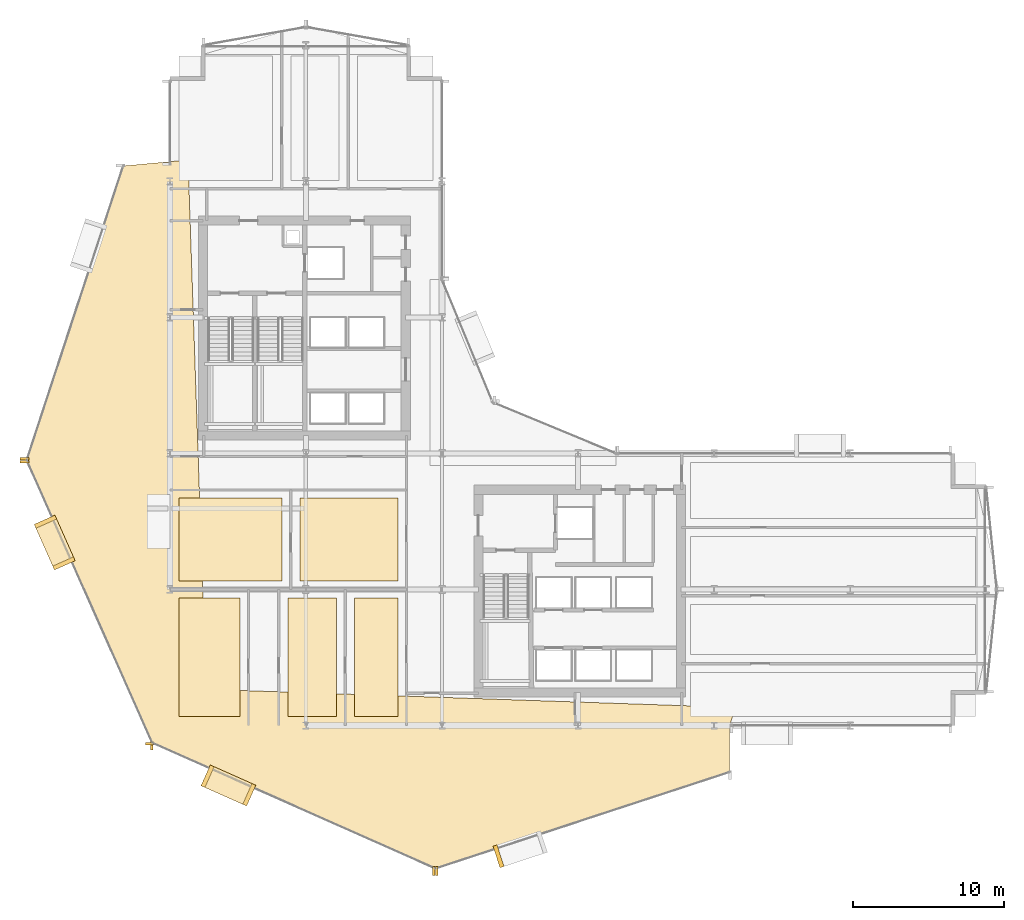
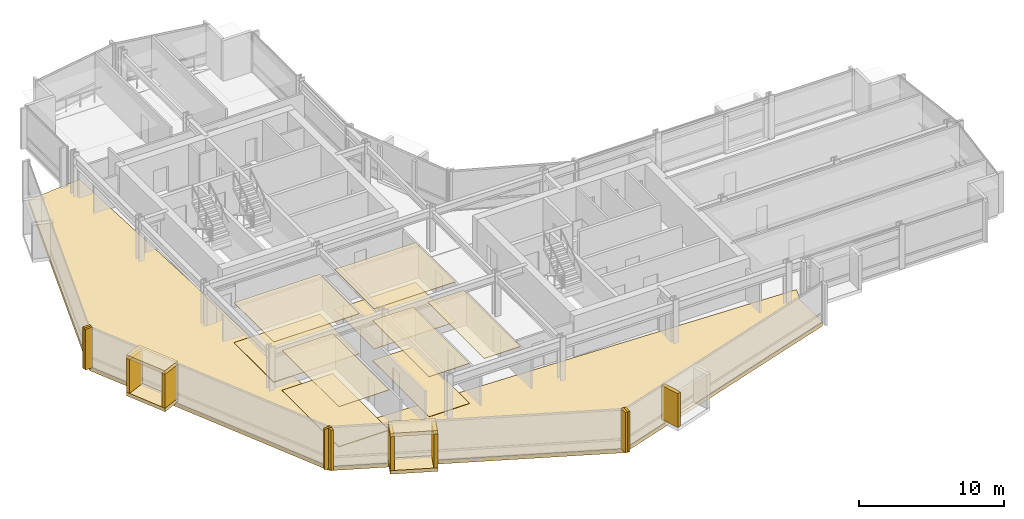
# One storey, part 30 of 34: 25 coverings.
"""IFC4 building model written with IfcOpenShell, lengths in metres."""

from ifc_helpers import new_model, si_unit, direction, frame, origin, origin_2d, place, context, subcontext, project, spatial, polyline, rectangle, outline, extrude, material, layer, layer_set, type_object, element, save


model = new_model("IFC4")

# Units and contexts
model_context = context("Model", 3, precision=1e-05, world=origin(), true_north=direction((0.0, 1.0)))
body_context = subcontext(model_context, "Body", "Model", "MODEL_VIEW")
ifc_project = project(units=[si_unit("LENGTHUNIT", "METRE"), si_unit("AREAUNIT", "SQUARE_METRE"), si_unit("VOLUMEUNIT", "CUBIC_METRE"), si_unit("PLANEANGLEUNIT", "RADIAN"), si_unit("MASSUNIT", "GRAM", prefix="KILO")], contexts=[model_context])

# Site, building, storey
site_placement = place(None, origin())
site = spatial("IfcSite", under=ifc_project, at=site_placement, CompositionType="ELEMENT")
building_placement = place(site_placement, origin())
building = spatial("IfcBuilding", under=site, at=building_placement, Name="Solvaryn Broadcast Tower", CompositionType="ELEMENT")
storey_placement = place(building_placement, frame((0.0, 0.0, 50.800048828125)))
storey = spatial("IfcBuildingStorey", under=building, at=storey_placement, Name="L11", CompositionType="ELEMENT", Elevation=50.800048828125)

# Coverings
ifc_material_1 = material(Name="Micro-Perforated Acoustic Gypsum Ceiling", Category="concrete")
ifc_layer_1 = layer(ifc_material_1, 0.0400390625)
ifc_layer_set_1 = layer_set([ifc_layer_1], Name="CV-CEIL-ACOUSTIC")
covering_type_1 = type_object("IfcCoveringType", Name="CV-CEIL-ACOUSTIC", PredefinedType="CEILING", material=ifc_layer_set_1)
covering_1_placement = place(storey_placement, frame((0.0, 0.0, 3.3798828125)))
element("IfcCovering", 1, at=covering_1_placement, inside=storey, type_object=covering_type_1, Name="L11 Room Acoustic Ceiling 1", PredefinedType="CEILING", context=body_context, shape_type="SweptSolid", body=[
    extrude(outline(polyline([(9.60009765625, 18.570068359375), (16.429931640625, 18.570068359375), (16.429931640625, 24.050048828125), (9.60009765625, 24.050048828125), (9.60009765625, 18.570068359375)])), origin(), (0.0, 0.0, 1.0), 0.0400390625),
])
covering_2_placement = place(storey_placement, frame((0.0, 0.0, 3.3798828125)))
element("IfcCovering", 2, at=covering_2_placement, inside=storey, type_object=covering_type_1, Name="L11 Room Acoustic Ceiling 2", PredefinedType="CEILING", context=body_context, shape_type="SweptSolid", body=[
    extrude(outline(polyline([(17.60009765625, 18.570068359375), (24.080078125, 18.570068359375), (24.080078125, 24.050048828125), (17.60009765625, 24.050048828125), (17.60009765625, 18.570068359375)])), origin(), (0.0, 0.0, 1.0), 0.0400390625),
])
covering_3_placement = place(storey_placement, frame((0.0, 0.0, 3.3798828125)))
element("IfcCovering", 3, at=covering_3_placement, inside=storey, type_object=covering_type_1, Name="L11 Room Acoustic Ceiling 3", PredefinedType="CEILING", context=body_context, shape_type="SweptSolid", body=[
    extrude(outline(polyline([(9.60009765625, 9.60009765625), (13.6298828125, 9.60009765625), (13.6298828125, 17.429931640625), (9.60009765625, 17.429931640625), (9.60009765625, 9.60009765625)])), origin(), (0.0, 0.0, 1.0), 0.0400390625),
])
covering_4_placement = place(storey_placement, frame((0.0, 0.0, 3.3798828125)))
element("IfcCovering", 4, at=covering_4_placement, inside=storey, type_object=covering_type_1, Name="L11 Room Acoustic Ceiling 4", PredefinedType="CEILING", context=body_context, shape_type="SweptSolid", body=[
    extrude(outline(polyline([(16.800048828125, 9.60009765625), (20.030029296875, 9.60009765625), (20.030029296875, 17.429931640625), (16.800048828125, 17.429931640625), (16.800048828125, 9.60009765625)])), origin(), (0.0, 0.0, 1.0), 0.0400390625),
])
covering_5_placement = place(storey_placement, frame((0.0, 0.0, 3.3798828125)))
element("IfcCovering", 5, at=covering_5_placement, inside=storey, type_object=covering_type_1, Name="L11 Room Acoustic Ceiling 5", PredefinedType="CEILING", context=body_context, shape_type="SweptSolid", body=[
    extrude(outline(polyline([(21.199951171875, 9.60009765625), (24.080078125, 9.60009765625), (24.080078125, 17.429931640625), (21.199951171875, 17.429931640625), (21.199951171875, 9.60009765625)])), origin(), (0.0, 0.0, 1.0), 0.0400390625),
])
ifc_material_2 = material(Name="Newsroom Raised Data Access Flooring", Category="steel")
ifc_layer_2 = layer(ifc_material_2, 0.050048828125)
ifc_layer_set_2 = layer_set([ifc_layer_2], Name="CV-FLOOR-RAISED")
covering_type_2 = type_object("IfcCoveringType", Name="CV-FLOOR-RAISED", PredefinedType="FLOORING", material=ifc_layer_set_2)
covering_6_placement = place(storey_placement, origin())
element("IfcCovering", 6, at=covering_6_placement, inside=storey, type_object=covering_type_2, Name="L11 Room Acoustic Floor Finish 1", PredefinedType="FLOORING", context=body_context, shape_type="SweptSolid", body=[
    extrude(outline(polyline([(9.60009765625, 18.570068359375), (16.429931640625, 18.570068359375), (16.429931640625, 24.050048828125), (9.60009765625, 24.050048828125), (9.60009765625, 18.570068359375)])), origin(), (0.0, 0.0, 1.0), 0.050048828125),
])
covering_7_placement = place(storey_placement, origin())
element("IfcCovering", 7, at=covering_7_placement, inside=storey, type_object=covering_type_2, Name="L11 Room Acoustic Floor Finish 2", PredefinedType="FLOORING", context=body_context, shape_type="SweptSolid", body=[
    extrude(outline(polyline([(17.60009765625, 18.570068359375), (24.080078125, 18.570068359375), (24.080078125, 24.050048828125), (17.60009765625, 24.050048828125), (17.60009765625, 18.570068359375)])), origin(), (0.0, 0.0, 1.0), 0.050048828125),
])
covering_8_placement = place(storey_placement, origin())
element("IfcCovering", 8, at=covering_8_placement, inside=storey, type_object=covering_type_2, Name="L11 Room Acoustic Floor Finish 3", PredefinedType="FLOORING", context=body_context, shape_type="SweptSolid", body=[
    extrude(outline(polyline([(9.60009765625, 9.60009765625), (13.6298828125, 9.60009765625), (13.6298828125, 17.429931640625), (9.60009765625, 17.429931640625), (9.60009765625, 9.60009765625)])), origin(), (0.0, 0.0, 1.0), 0.050048828125),
])
covering_9_placement = place(storey_placement, origin())
element("IfcCovering", 9, at=covering_9_placement, inside=storey, type_object=covering_type_2, Name="L11 Room Acoustic Floor Finish 4", PredefinedType="FLOORING", context=body_context, shape_type="SweptSolid", body=[
    extrude(outline(polyline([(16.800048828125, 9.60009765625), (20.030029296875, 9.60009765625), (20.030029296875, 17.429931640625), (16.800048828125, 17.429931640625), (16.800048828125, 9.60009765625)])), origin(), (0.0, 0.0, 1.0), 0.050048828125),
])
ifc_material_3 = material(Name="Glazed Architectural Terracotta Rainscreen Cladding", Category="masonry")
ifc_layer_3 = layer(ifc_material_3, 0.280029296875)
ifc_layer_set_3 = layer_set([ifc_layer_3], Name="CV-TC-CLAD")
covering_type_3 = type_object("IfcCoveringType", Name="CV-TC-CLAD", PredefinedType="CLADDING", material=ifc_layer_set_3)
for number, where, z_axis, x_axis, name in (
    (10, (1.37890625, 21.10498046875, 3.1298828125), (0.0, 0.0, 1.0), (0.405939269498, -0.913900054426, 0.0), "L11 Projecting Stone Window Box Hood 2"),
    (11, (1.37890625, 21.10498046875, -0.01025390625), (0.0, 0.0, 1.0), (0.405939269498, -0.913900054426, 0.0), "L11 Projecting Stone Window Box Sill 2"),
):
    element("IfcCovering", number, at=place(storey_placement, frame(where, z_axis=z_axis, x_axis=x_axis)), inside=storey, type_object=covering_type_3, Name=name, PredefinedType="CLADDING", context=body_context, shape_type="SweptSolid", body=[
        extrude(rectangle(XDim=3.300048828125, YDim=1.5, at=origin_2d()), origin(), (0.0, 0.0, 1.0), 0.300048828125),
    ])
for number, where, z_axis, x_axis, name in (
    (12, (0.76611328125, 22.485107421875, 0.27978515625), (0.0, 0.0, 1.0), (0.405939269498, -0.913900054426, 0.0), "L11 Projecting Stone Window Box Cheek 2-1"),
    (13, (1.991943359375, 19.72509765625, 0.27978515625), (0.0, 0.0, 1.0), (0.405939269498, -0.913900054426, 0.0), "L11 Projecting Stone Window Box Cheek 2-2"),
):
    element("IfcCovering", number, at=place(storey_placement, frame(where, z_axis=z_axis, x_axis=x_axis)), inside=storey, type_object=covering_type_3, Name=name, PredefinedType="CLADDING", context=body_context, shape_type="SweptSolid", body=[
        extrude(rectangle(XDim=0.280029296875, YDim=1.5, at=origin_2d()), origin(), (0.0, 0.0, 1.0), 2.860107421875),
    ])
for number, where, z_axis, x_axis, name in (
    (14, (12.8720703125, 5.035888671875, 3.1298828125), (0.0, 0.0, 1.0), (0.913900054426, -0.405939269498, 0.0), "L11 Projecting Stone Window Box Hood 3"),
    (15, (12.8720703125, 5.035888671875, -0.01025390625), (0.0, 0.0, 1.0), (0.913900054426, -0.405939269498, 0.0), "L11 Projecting Stone Window Box Sill 3"),
):
    element("IfcCovering", number, at=place(storey_placement, frame(where, z_axis=z_axis, x_axis=x_axis)), inside=storey, type_object=covering_type_3, Name=name, PredefinedType="CLADDING", context=body_context, shape_type="SweptSolid", body=[
        extrude(rectangle(XDim=3.300048828125, YDim=1.5, at=origin_2d()), origin(), (0.0, 0.0, 1.0), 0.300048828125),
    ])
for number, where, z_axis, x_axis, name in (
    (16, (11.491943359375, 5.64892578125, 0.27978515625), (0.0, 0.0, 1.0), (0.913900054426, -0.405939269498, 0.0), "L11 Projecting Stone Window Box Cheek 3-1"),
    (17, (14.251953125, 4.423095703125, 0.27978515625), (0.0, 0.0, 1.0), (0.913900054426, -0.405939269498, 0.0), "L11 Projecting Stone Window Box Cheek 3-2"),
    (18, (30.73828125, 0.348388671875, 0.27978515625), (0.0, 0.0, 1.0), (0.950189870912, 0.311671636848, 0.0), "L11 Projecting Stone Window Box Cheek 4-1"),
):
    element("IfcCovering", number, at=place(storey_placement, frame(where, z_axis=z_axis, x_axis=x_axis)), inside=storey, type_object=covering_type_3, Name=name, PredefinedType="CLADDING", context=body_context, shape_type="SweptSolid", body=[
        extrude(rectangle(XDim=0.280029296875, YDim=1.5, at=origin_2d()), origin(), (0.0, 0.0, 1.0), 2.860107421875),
    ])
ifc_material_4 = material(Name="Extruded Architectural Terracotta Fin", Category="masonry")
ifc_layer_4 = layer(ifc_material_4, 0.179931640625)
ifc_layer_set_4 = layer_set([ifc_layer_4], Name="CV-TC-FIN")
covering_type_4 = type_object("IfcCoveringType", Name="CV-TC-FIN", PredefinedType="USERDEFINED", material=ifc_layer_set_4)
for number, where, z_axis, x_axis, name in (
    (19, (-0.625732421875, 26.644775390625, 0.0), (0.0, 0.0, 1.0), (1.0, 0.0, 0.0), "L11 Terracotta Vertical Fin FIN-L11-DR1-M01"),
    (20, (-0.6162109375, 26.459716796875, 0.0), (0.0, 0.0, 1.0), (1.0, 0.0, 0.0), "L11 Terracotta Vertical Fin FIN-L11-DR2-M00"),
    (21, (7.670654296875, 7.8017578125, 0.0), (0.0, 0.0, 1.0), (1.0, 0.0, 0.0), "L11 Terracotta Vertical Fin FIN-L11-DR2-M01"),
):
    element("IfcCovering", number, at=place(storey_placement, frame(where, z_axis=z_axis, x_axis=x_axis)), inside=storey, type_object=covering_type_4, Name=name, ObjectType="FIN", PredefinedType="USERDEFINED", context=body_context, shape_type="SweptSolid", body=[
        extrude(rectangle(XDim=0.580078125, YDim=0.179931640625, at=origin_2d()), origin(), (0.0, 0.0, 1.0), 3.419921875),
    ])
for number, where, z_axis, x_axis, name in (
    (22, (7.8017578125, 7.670654296875, 0.0), (0.0, 0.0, 1.0), (1.0, 0.0, 0.0), "L11 Terracotta Vertical Fin FIN-L11-DR3-M00"),
    (23, (26.459716796875, -0.6162109375, 0.0), (0.0, 0.0, 1.0), (1.0, 0.0, 0.0), "L11 Terracotta Vertical Fin FIN-L11-DR3-M01"),
    (24, (26.644775390625, -0.625732421875, 0.0), (0.0, 0.0, 1.0), (1.0, 0.0, 0.0), "L11 Terracotta Vertical Fin FIN-L11-DR4-M00"),
):
    element("IfcCovering", number, at=place(storey_placement, frame(where, z_axis=z_axis, x_axis=x_axis)), inside=storey, type_object=covering_type_4, Name=name, ObjectType="FIN", PredefinedType="USERDEFINED", context=body_context, shape_type="SweptSolid", body=[
        extrude(rectangle(XDim=0.179931640625, YDim=0.580078125, at=origin_2d()), origin(), (0.0, 0.0, 1.0), 3.419921875),
    ])
ifc_material_5 = material(Name="Sculpted Architectural Terracotta Wave Fascia", Category="masonry")
ifc_layer_5 = layer(ifc_material_5, 0.340087890625)
ifc_layer_set_5 = layer_set([ifc_layer_5], Name="CV-WAVE-TRAY")
covering_type_5 = type_object("IfcCoveringType", Name="CV-WAVE-TRAY", PredefinedType="CLADDING", material=ifc_layer_set_5)
covering_10_placement = place(storey_placement, frame((0.0, 0.0, -0.300048828125)))
element("IfcCovering", 25, at=covering_10_placement, inside=storey, type_object=covering_type_5, Name="L11 Stepped Cylindrical Drum Floor Apron", PredefinedType="CLADDING", context=body_context, shape_type="SweptSolid", body=[
    extrude(outline(polyline([(10.199951171875, 46.416015625), (5.916015625, 46.01611328125), (-0.464111328125, 26.56005859375), (7.846923828125, 7.846923828125), (26.56005859375, -0.464111328125), (46.01611328125, 5.916015625), (46.01611328125, 9.0), (46.416015625, 10.199951171875), (11.39990234375, 11.39990234375), (10.199951171875, 46.416015625)])), origin(), (0.0, 0.0, 1.0), 0.330078125),
])

save(model, "model.ifc")
